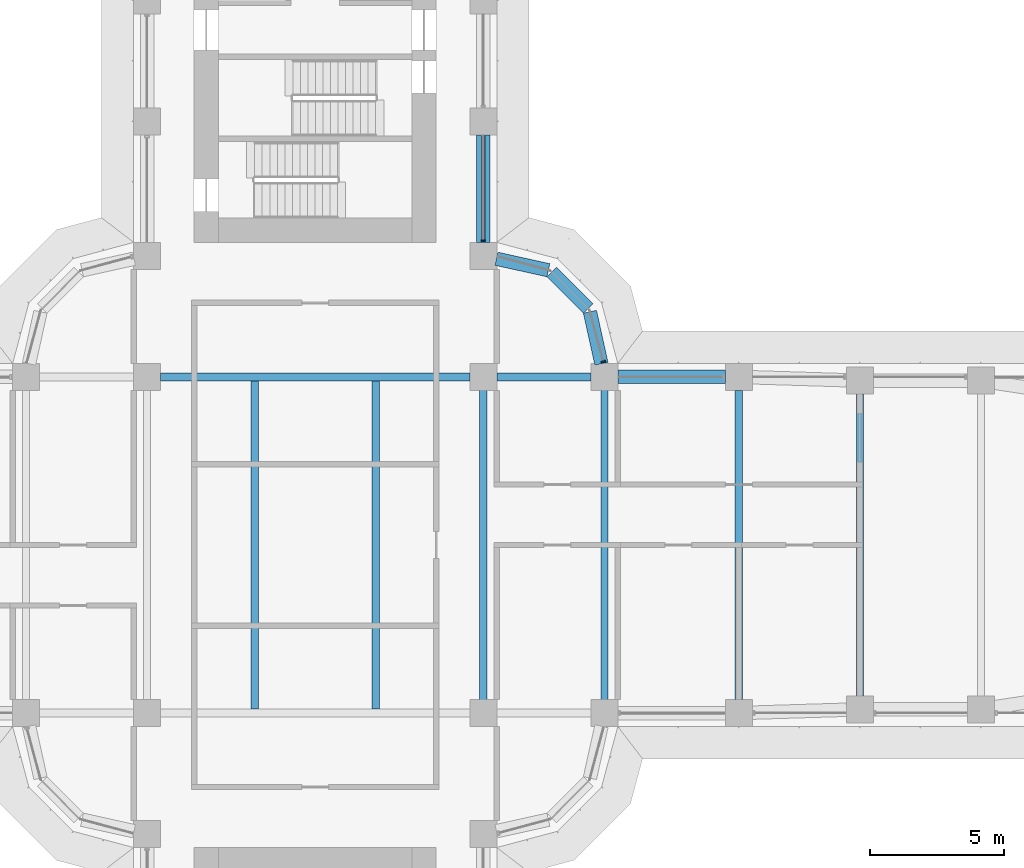
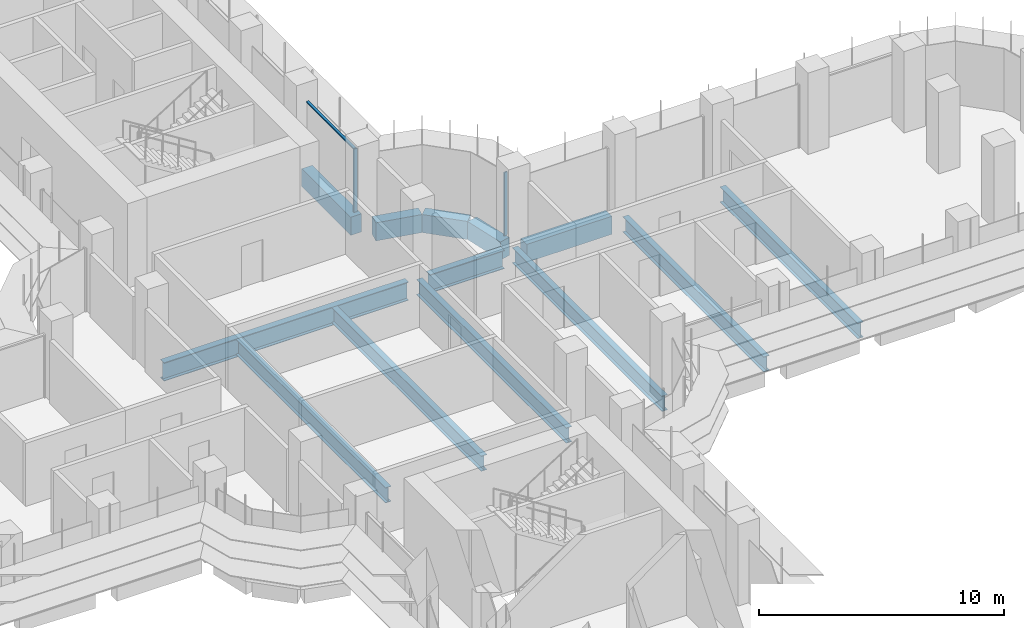
# One storey, part 8 of 23: 13 beams, 3 members, 2 elements without a shape of their own.
"""IFC4 building model written with IfcOpenShell, lengths in metres."""

from ifc_helpers import new_model, si_unit, direction, frame, origin, origin_2d, place, context, subcontext, project, spatial, polyline, rectangle, i_section, outline, extrude, source, transform, mapped, material, material_profile, profile_set, type_object, element, aggregate, save


model = new_model("IFC4")

# Units and contexts
model_context = context("Model", 3, precision=1e-05, world=origin(), true_north=direction((0.0, 1.0)))
body_context = subcontext(model_context, "Body", "Model", "MODEL_VIEW")
ifc_project = project(units=[si_unit("LENGTHUNIT", "METRE"), si_unit("AREAUNIT", "SQUARE_METRE"), si_unit("VOLUMEUNIT", "CUBIC_METRE"), si_unit("PLANEANGLEUNIT", "RADIAN"), si_unit("MASSUNIT", "GRAM", prefix="KILO")], contexts=[model_context])

# Site, building, storey
site_placement = place(None, origin())
site = spatial("IfcSite", under=ifc_project, at=site_placement, CompositionType="ELEMENT")
building_placement = place(site_placement, origin())
building = spatial("IfcBuilding", under=site, at=building_placement, Name="Zarbagh Exchange Tower", CompositionType="ELEMENT")
storey_placement = place(building_placement, frame((0.0, 0.0, 31.199951171875)))
storey = spatial("IfcBuildingStorey", under=building, at=storey_placement, Name="L06", CompositionType="ELEMENT", Elevation=31.199951171875)

# Beams
ifc_material_1 = material(Name="Steel ASTM A992 Gr 50", Category="steel")
ifc_material_profile_1 = material_profile(ifc_material_1, i_section(OverallWidth=0.2666015625, OverallDepth=0.76708984375, WebThickness=0.014892578125, FlangeThickness=0.023681640625, at=origin_2d()), Name="W30X124")
ifc_profile_set_1 = profile_set([ifc_material_profile_1], Name="Steel ASTM A992 Gr 50")
beam_type_1 = type_object("IfcBeamType", Name="Floor beam W30X124", PredefinedType="BEAM", material=ifc_profile_set_1)
for number, where, z_axis, x_axis, name in (
    (1, (-2.25, -6.09765625, -0.533447265625), (0.0, 1.0, 0.0), (-1.0, 0.0, 0.0), "Steel floor beam"),
    (2, (2.25, -6.09765625, -0.533447265625), (0.0, 1.0, 0.0), (-1.0, 0.0, 0.0), "Steel floor beam"),
    (3, (6.25, -6.09765625, -0.533447265625), (0.0, 1.0, 0.0), (-1.0, 0.0, 0.0), "Steel floor beam"),
    (4, (10.75, -6.09765625, -0.533447265625), (0.0, 1.0, 0.0), (-1.0, 0.0, 0.0), "Steel floor beam"),
):
    element("IfcBeam", number, at=place(storey_placement, frame(where, z_axis=z_axis, x_axis=x_axis)), inside=storey, type_object=beam_type_1, Name=name, PredefinedType="BEAM", context=body_context, shape_type="SweptSolid", body=[
        extrude(i_section(OverallWidth=0.2666015625, OverallDepth=0.76708984375, WebThickness=0.014892578125, FlangeThickness=0.023681640625, at=origin_2d()), origin(), (0.0, 0.0, 1.0), 12.1953125),
    ])
beam_1_placement = place(storey_placement, frame((15.75, -5.75, -0.533447265625), z_axis=(0.0, 1.0, 0.0), x_axis=(-1.0, 0.0, 0.0)))
element("IfcBeam", 5, at=beam_1_placement, inside=storey, type_object=beam_type_1, Name="Steel floor beam", PredefinedType="BEAM", context=body_context, shape_type="SweptSolid", body=[
    extrude(i_section(OverallWidth=0.2666015625, OverallDepth=0.76708984375, WebThickness=0.014892578125, FlangeThickness=0.023681640625, at=origin_2d()), origin(), (0.0, 0.0, 1.0), 11.5),
])
beam_2_placement = place(storey_placement, frame((20.25, -5.610107421875, -0.533447265625), z_axis=(0.0, 1.0, 0.0), x_axis=(-1.0, 0.0, 0.0)))
element("IfcBeam", 6, at=beam_2_placement, inside=storey, type_object=beam_type_1, Name="Steel floor beam", PredefinedType="BEAM", context=body_context, shape_type="SweptSolid", body=[
    extrude(i_section(OverallWidth=0.2666015625, OverallDepth=0.76708984375, WebThickness=0.014892578125, FlangeThickness=0.023681640625, at=origin_2d()), origin(), (0.0, 0.0, 1.0), 11.22021484375),
])
ifc_material_profile_2 = material_profile(ifc_material_1, i_section(OverallWidth=0.3046875, OverallDepth=0.91943359375, WebThickness=0.017333984375, FlangeThickness=0.02783203125, at=origin_2d()), Name="W36X170")
ifc_profile_set_2 = profile_set([ifc_material_profile_2], Name="Steel ASTM A992 Gr 50")
beam_type_2 = type_object("IfcBeamType", Name="Floor girder W36X170", PredefinedType="BEAM", material=ifc_profile_set_2)
beam_3_placement = place(storey_placement, frame((-5.75, 6.25, -0.609619140625), z_axis=(1.0, 0.0, 0.0), x_axis=(0.0, 1.0, 0.0)))
element("IfcBeam", 7, at=beam_3_placement, inside=storey, type_object=beam_type_2, Name="Steel girder", PredefinedType="BEAM", context=body_context, shape_type="SweptSolid", body=[
    extrude(i_section(OverallWidth=0.3046875, OverallDepth=0.91943359375, WebThickness=0.017333984375, FlangeThickness=0.02783203125, at=origin_2d()), origin(), (0.0, 0.0, 1.0), 11.5),
])
beam_4_placement = place(storey_placement, frame((6.75, 6.25, -0.609619140625), z_axis=(1.0, 0.0, 0.0), x_axis=(0.0, 1.0, 0.0)))
element("IfcBeam", 8, at=beam_4_placement, inside=storey, type_object=beam_type_2, Name="Steel girder", PredefinedType="BEAM", context=body_context, shape_type="SweptSolid", body=[
    extrude(i_section(OverallWidth=0.3046875, OverallDepth=0.91943359375, WebThickness=0.017333984375, FlangeThickness=0.02783203125, at=origin_2d()), origin(), (0.0, 0.0, 1.0), 3.5),
])
ifc_material_2 = material(Name="Concrete C60/75", Category="concrete")
ifc_material_profile_3 = material_profile(ifc_material_2, rectangle(XDim=0.5, YDim=0.89990234375, at=origin_2d()), Name="RC spandrel beam 500 x 900 C60/75")
ifc_profile_set_3 = profile_set([ifc_material_profile_3], Name="Concrete C60/75")
beam_type_3 = type_object("IfcBeamType", Name="RC spandrel beam 500 x 900 C60/75", PredefinedType="SPANDREL", material=ifc_profile_set_3)
beam_5_placement = place(storey_placement, frame((6.25, 15.25, -0.599853515625), z_axis=(0.0, -1.0, 0.0), x_axis=(1.0, 0.0, 0.0)))
element("IfcBeam", 9, at=beam_5_placement, inside=storey, type_object=beam_type_3, Name="RC spandrel beam", PredefinedType="SPANDREL", context=body_context, shape_type="SweptSolid", body=[
    extrude(rectangle(XDim=0.5, YDim=0.89990234375, at=origin_2d()), origin(), (0.0, 0.0, 1.0), 4.0),
])
beam_6_placement = place(storey_placement, frame((6.73828125, 10.64208984375, -0.599853515625), z_axis=(0.976375426825, -0.216081063242, 0.0), x_axis=(0.216081063242, 0.976375426825, 0.0)))
element("IfcBeam", 10, at=beam_6_placement, inside=storey, type_object=beam_type_3, Name="RC spandrel beam", PredefinedType="SPANDREL", context=body_context, shape_type="SweptSolid", body=[
    extrude(rectangle(XDim=0.5, YDim=0.89990234375, at=origin_2d()), origin(), (0.0, 0.0, 1.0), 1.978271484375),
])
beam_7_placement = place(storey_placement, frame((8.792724609375, 10.147216796875, -0.599853515625), z_axis=(0.707106781187, -0.707106781187, 0.0), x_axis=(0.707106781187, 0.707106781187, 0.0)))
element("IfcBeam", 11, at=beam_7_placement, inside=storey, type_object=beam_type_3, Name="RC spandrel beam", PredefinedType="SPANDREL", context=body_context, shape_type="SweptSolid", body=[
    extrude(rectangle(XDim=0.5, YDim=0.89990234375, at=origin_2d()), origin(), (0.0, 0.0, 1.0), 1.91552734375),
])
beam_8_placement = place(storey_placement, frame((10.214599609375, 8.669921875, -0.599853515625), z_axis=(0.216081063242, -0.976375426825, 0.0), x_axis=(0.976375426825, 0.216081063242, 0.0)))
element("IfcBeam", 12, at=beam_8_placement, inside=storey, type_object=beam_type_3, Name="RC spandrel beam", PredefinedType="SPANDREL", context=body_context, shape_type="SweptSolid", body=[
    extrude(rectangle(XDim=0.5, YDim=0.89990234375, at=origin_2d()), origin(), (0.0, 0.0, 1.0), 1.978271484375),
])
beam_9_placement = place(storey_placement, frame((11.25, 6.25, -0.599853515625), z_axis=(1.0, 0.0, 0.0), x_axis=(0.0, 1.0, 0.0)))
element("IfcBeam", 13, at=beam_9_placement, inside=storey, type_object=beam_type_3, Name="RC spandrel beam", PredefinedType="SPANDREL", context=body_context, shape_type="SweptSolid", body=[
    extrude(rectangle(XDim=0.5, YDim=0.89990234375, at=origin_2d()), origin(), (0.0, 0.0, 1.0), 4.0),
])

# Curtain wall, member
ifc_material_3 = material(Name="Anodised aluminium frame and glazing", Category="aluminium")
curtain_wall_type = type_object("IfcCurtainWallType", Name="CWA Ribbon glazing, lower zones", PredefinedType="NOTDEFINED", material=ifc_material_3)
curtain_wall_1_placement = place(storey_placement, origin())
curtain_wall_1 = element("IfcCurtainWall", 14, at=curtain_wall_1_placement, inside=storey, type_object=curtain_wall_type, Name="CWA17 curtain wall", PredefinedType="NOTDEFINED")
ifc_material_4 = material(Name="Anodised aluminium frame", Category="aluminium")
member_type_1 = type_object("IfcMemberType", Name="MUA Mullion, anodised aluminium frame", PredefinedType="MULLION", material=ifc_material_4)
shared_shape_1 = source(origin(), body_context, "Body", "SweptSolid", [
    extrude(outline(polyline([(0.0, -0.080078125), (0.06005859375, -0.080078125), (0.06005859375, 0.080078125), (0.0, 0.080078125), (0.0, -0.080078125)])), origin(), (0.0, 0.0, 1.0), 3.14990234375),
])
placement = place(storey_placement, origin())
member_1 = element("IfcMember", 15, at=placement, type_object=member_type_1, Name="CWA17 mullion 1.1", PredefinedType="MULLION", context=body_context, shape_type="MappedRepresentation", body=[
    mapped(shared_shape_1, transform((10.7216796875, 6.7900390625, 0.0), x_axis=(-0.258824779902, 0.965924289636, 0.0), y_axis=(-0.965924289636, -0.258824779902, 0.0), z_axis=(0.0, 0.0, 1.0))),
])
aggregate(curtain_wall_1, [member_1])

# Curtain wall, members
curtain_wall_2_placement = place(storey_placement, origin())
curtain_wall_2 = element("IfcCurtainWall", 16, at=curtain_wall_2_placement, inside=storey, type_object=curtain_wall_type, Name="CWA20 curtain wall", PredefinedType="NOTDEFINED")
member_2 = element("IfcMember", 17, at=placement, type_object=member_type_1, Name="CWA20 mullion 1.1", PredefinedType="MULLION", context=body_context, shape_type="MappedRepresentation", body=[
    mapped(shared_shape_1, transform((6.25, 11.2900390625, 0.0), x_axis=(0.0, 1.0, 0.0), y_axis=(-1.0, 0.0, 0.0), z_axis=(0.0, 0.0, 1.0))),
])
member_type_2 = type_object("IfcMemberType", Name="TRA Transom, anodised aluminium frame", PredefinedType="USERDEFINED", material=ifc_material_4)
shared_shape_2 = source(origin(), body_context, "Body", "SweptSolid", [
    extrude(outline(polyline([(-0.06005859375, -0.06005859375), (0.0, -0.06005859375), (0.0, 0.06005859375), (-0.06005859375, 0.06005859375), (-0.06005859375, -0.06005859375)])), origin(), (0.0, 0.0, 1.0), 3.860107421875),
])
member_3 = element("IfcMember", 18, at=placement, type_object=member_type_2, Name="CWA20 transom 1.1", ObjectType="TRANSOM", PredefinedType="USERDEFINED", context=body_context, shape_type="MappedRepresentation", body=[
    mapped(shared_shape_2, transform((6.25, 11.35009765625, 3.150146484375), x_axis=(0.0, 0.0, 1.0), y_axis=(1.0, 0.0, 0.0), z_axis=(0.0, 1.0, 0.0))),
])
aggregate(curtain_wall_2, [member_2, member_3])

save(model, "model.ifc")
